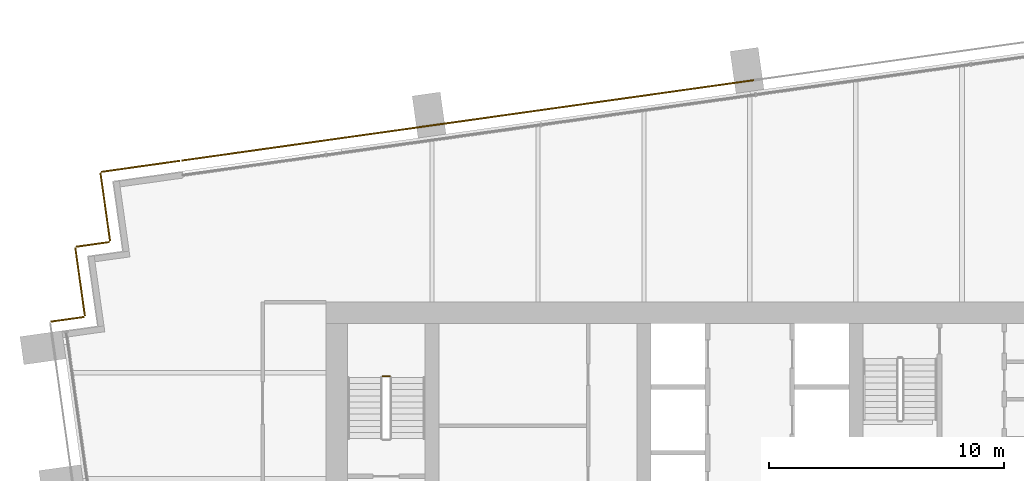
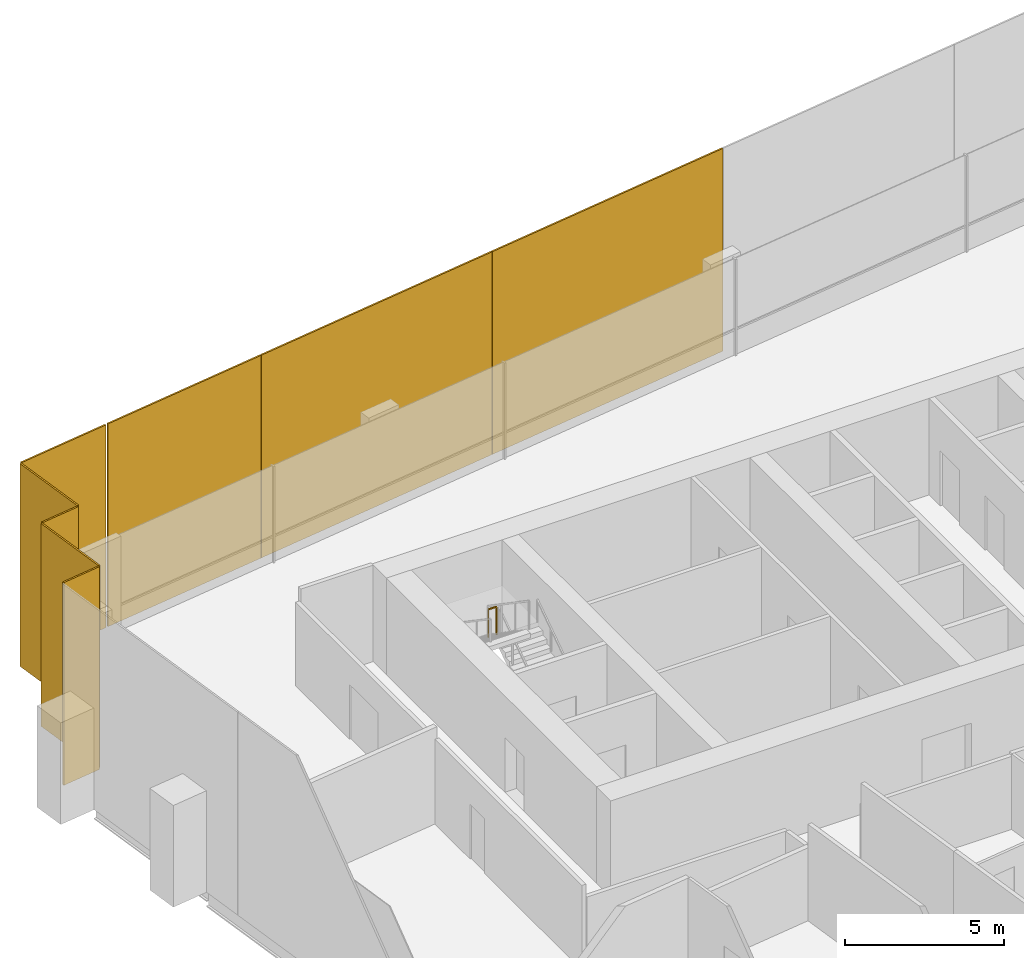
# One storey, part 16 of 17: 8 coverings, 1 railing.
"""IFC4 building model written with IfcOpenShell, lengths in metres."""

from ifc_helpers import new_model, si_unit, direction, frame, origin, origin_2d, place, context, subcontext, project, spatial, rectangle, extrude, material, layer, layer_set, type_object, element, save


model = new_model("IFC4")

# Units and contexts
model_context = context("Model", 3, precision=1e-05, world=origin(), true_north=direction((0.0, 1.0)))
body_context = subcontext(model_context, "Body", "Model", "MODEL_VIEW")
ifc_project = project(units=[si_unit("LENGTHUNIT", "METRE"), si_unit("AREAUNIT", "SQUARE_METRE"), si_unit("VOLUMEUNIT", "CUBIC_METRE"), si_unit("PLANEANGLEUNIT", "RADIAN"), si_unit("MASSUNIT", "GRAM", prefix="KILO")], contexts=[model_context])

# Site, building, storey
site_placement = place(None, origin())
site = spatial("IfcSite", under=ifc_project, at=site_placement, CompositionType="ELEMENT")
building_placement = place(site_placement, origin())
building = spatial("IfcBuilding", under=site, at=building_placement, Name="Rattan Terrace Tower", CompositionType="ELEMENT")
storey_placement = place(building_placement, frame((0.0, 0.0, 180.199951171875)))
storey = spatial("IfcBuildingStorey", under=building, at=storey_placement, Name="L41", CompositionType="ELEMENT", Elevation=180.199951171875)

# Railing
ifc_material_1 = material(Name="Powder-coated steel guard", Category="steel")
railing_type = type_object("IfcRailingType", Name="Core stair guard", PredefinedType="GUARDRAIL", material=ifc_material_1)
railing_placement = place(storey_placement, frame((-15.300048828125, 4.35009765625, 1.949951171875)))
element("IfcRailing", 1, at=railing_placement, inside=storey, type_object=railing_type, Name="L41 S1 stair guard 2", PredefinedType="GUARDRAIL", context=body_context, shape_type="SweptSolid", body=[
    extrude(rectangle(XDim=0.048095703125, YDim=0.048095703125, at=origin_2d()), frame((0.0, 0.0, 1.076171875), z_axis=(-1.0, 0.0, 0.0), x_axis=(0.0, -1.0, 0.0)), (0.0, 0.0, 1.0), 0.300048828125),
    extrude(rectangle(XDim=0.0419921875, YDim=0.0419921875, at=origin_2d()), origin(), (0.0, 0.0, 1.0), 1.052001953125),
    extrude(rectangle(XDim=0.0419921875, YDim=0.0419921875, at=origin_2d()), frame((-0.300048828125, 0.0, 0.0)), (0.0, 0.0, 1.0), 1.052001953125),
])

# Coverings
ifc_material_2 = material(Name="Perforated terracotta", Category="masonry")
ifc_layer = layer(ifc_material_2, 0.06005859375)
ifc_layer_set = layer_set([ifc_layer], Name="Facade Terracotta Screen Panel")
covering_type = type_object("IfcCoveringType", Name="Facade Terracotta Screen Panel", PredefinedType="CLADDING", material=ifc_layer_set)
for number, where, z_axis, x_axis, name in (
    (2, (-4.39794921875, 16.285400390625, -0.18994140625), (0.0, 0.0, 1.0), (-0.990269702686, -0.139161474347, 0.0), "OUTER SKIN panel L41-17"),
    (3, (-13.521484375, 15.003173828125, -0.18994140625), (0.0, 0.0, 1.0), (-0.990269702686, -0.139161474347, 0.0), "OUTER SKIN panel L41-18"),
):
    element("IfcCovering", number, at=place(storey_placement, frame(where, z_axis=z_axis, x_axis=x_axis)), inside=storey, type_object=covering_type, Name=name, PredefinedType="CLADDING", context=body_context, shape_type="SweptSolid", body=[
        extrude(rectangle(XDim=9.193115234375, YDim=0.06005859375, at=origin_2d()), origin(), (0.0, 0.0, 1.0), 7.780029296875),
    ])
covering_1_placement = place(storey_placement, frame((-21.112548828125, 13.9365234375, -0.18994140625), z_axis=(0.0, 0.0, 1.0), x_axis=(-0.990269702686, -0.139161474347, 0.0)))
element("IfcCovering", 4, at=covering_1_placement, inside=storey, type_object=covering_type, Name="OUTER SKIN panel L41-19", PredefinedType="CLADDING", context=body_context, shape_type="SweptSolid", body=[
    extrude(rectangle(XDim=6.098388671875, YDim=0.06005859375, at=origin_2d()), origin(), (0.0, 0.0, 1.0), 7.780029296875),
])
covering_2_placement = place(storey_placement, frame((-25.8798828125, 13.266357421875, -0.18994140625), z_axis=(0.0, 0.0, 1.0), x_axis=(-0.990247240581, -0.139321220646, 0.0)))
element("IfcCovering", 5, at=covering_2_placement, inside=storey, type_object=covering_type, Name="OUTER SKIN panel L41-20", PredefinedType="CLADDING", context=body_context, shape_type="SweptSolid", body=[
    extrude(rectangle(XDim=3.370361328125, YDim=0.06005859375, at=origin_2d()), origin(), (0.0, 0.0, 1.0), 7.780029296875),
])
covering_3_placement = place(storey_placement, frame((-27.37939453125, 11.54052734375, -0.18994140625), z_axis=(0.0, 0.0, 1.0), x_axis=(0.139321220646, -0.990247240581, 0.0)))
element("IfcCovering", 6, at=covering_3_placement, inside=storey, type_object=covering_type, Name="OUTER SKIN panel L41-21", PredefinedType="CLADDING", context=body_context, shape_type="SweptSolid", body=[
    extrude(rectangle(XDim=2.919921875, YDim=0.06005859375, at=origin_2d()), origin(), (0.0, 0.0, 1.0), 7.780029296875),
])
covering_4_placement = place(storey_placement, frame((-27.913330078125, 9.951171875, -0.18994140625), z_axis=(0.0, 0.0, 1.0), x_axis=(-0.990345406709, -0.138621698915, 0.0)))
element("IfcCovering", 7, at=covering_4_placement, inside=storey, type_object=covering_type, Name="OUTER SKIN panel L41-22", PredefinedType="CLADDING", context=body_context, shape_type="SweptSolid", body=[
    extrude(rectangle(XDim=1.42041015625, YDim=0.06005859375, at=origin_2d()), origin(), (0.0, 0.0, 1.0), 7.780029296875),
])
covering_5_placement = place(storey_placement, frame((-28.447265625, 8.361572265625, -0.18994140625), z_axis=(0.0, 0.0, 1.0), x_axis=(0.139321220646, -0.990247240581, 0.0)))
element("IfcCovering", 8, at=covering_5_placement, inside=storey, type_object=covering_type, Name="OUTER SKIN panel L41-23", PredefinedType="CLADDING", context=body_context, shape_type="SweptSolid", body=[
    extrude(rectangle(XDim=2.920654296875, YDim=0.06005859375, at=origin_2d()), origin(), (0.0, 0.0, 1.0), 7.780029296875),
])
covering_6_placement = place(storey_placement, frame((-28.981201171875, 6.771484375, -0.18994140625), z_axis=(0.0, 0.0, 1.0), x_axis=(-0.99025370695, -0.139275252184, 0.0)))
element("IfcCovering", 9, at=covering_6_placement, inside=storey, type_object=covering_type, Name="OUTER SKIN panel L41-24", PredefinedType="CLADDING", context=body_context, shape_type="SweptSolid", body=[
    extrude(rectangle(XDim=1.420654296875, YDim=0.06005859375, at=origin_2d()), origin(), (0.0, 0.0, 1.0), 7.780029296875),
])

save(model, "model.ifc")
